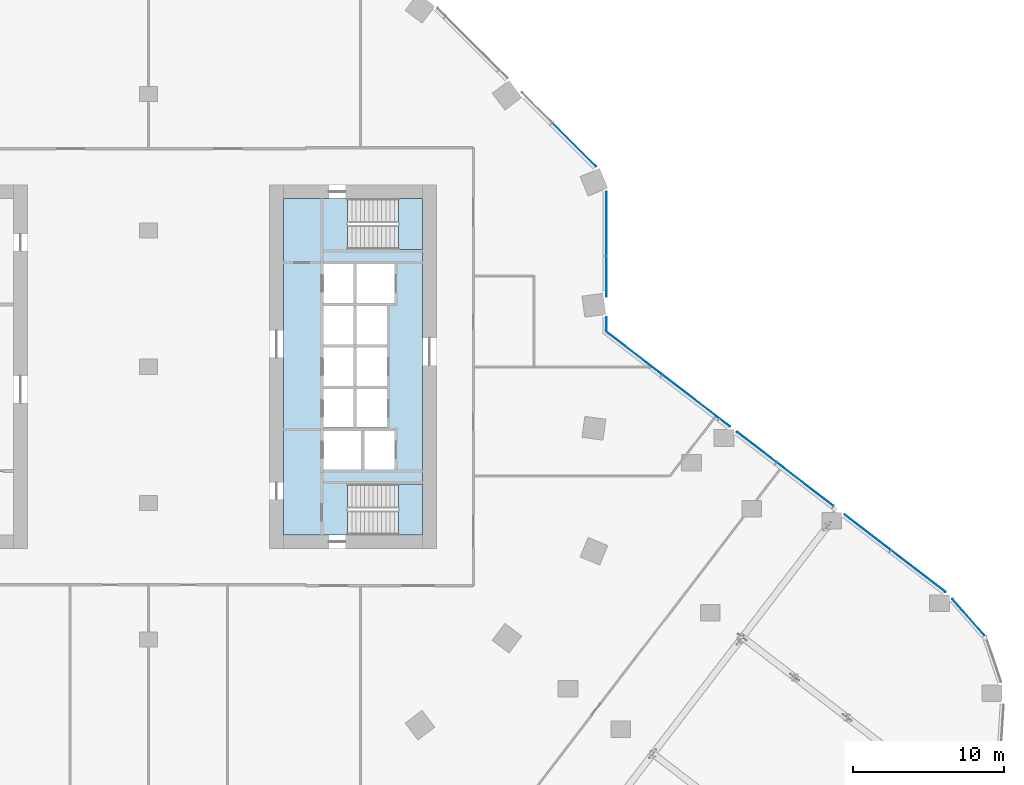
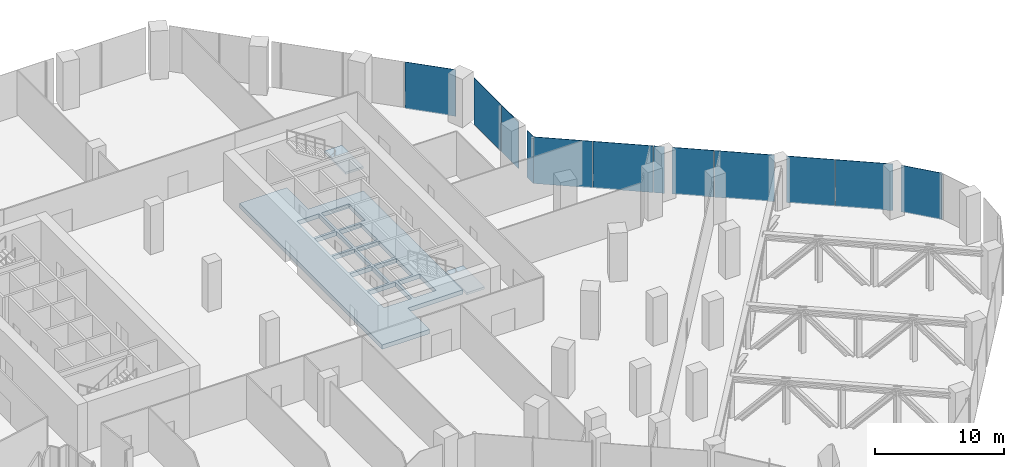
# One storey, part 20 of 30: 12 plates, 3 slabs, 6 elements without a shape of their own.
"""IFC4 building model written with IfcOpenShell, lengths in metres."""

from ifc_helpers import new_model, si_unit, direction, frame, origin, origin_2d, place, context, subcontext, project, spatial, polyline, rectangle, outline, extrude, material, layer, layer_set, type_object, element, aggregate, save


model = new_model("IFC4")

# Units and contexts
model_context = context("Model", 3, precision=1e-05, world=origin(), true_north=direction((0.0, 1.0)))
body_context = subcontext(model_context, "Body", "Model", "MODEL_VIEW")
ifc_project = project(units=[si_unit("LENGTHUNIT", "METRE"), si_unit("AREAUNIT", "SQUARE_METRE"), si_unit("VOLUMEUNIT", "CUBIC_METRE"), si_unit("PLANEANGLEUNIT", "RADIAN"), si_unit("MASSUNIT", "GRAM", prefix="KILO")], contexts=[model_context])

# Site, building, storey
site_placement = place(None, origin())
site = spatial("IfcSite", under=ifc_project, at=site_placement, CompositionType="ELEMENT")
building_placement = place(site_placement, origin())
building = spatial("IfcBuilding", under=site, at=building_placement, Name="Orlundy Tower", CompositionType="ELEMENT")
storey_placement = place(building_placement, frame((0.0, 0.0, 20.5)))
storey = spatial("IfcBuildingStorey", under=building, at=storey_placement, Name="L03", CompositionType="ELEMENT", Elevation=20.5)

# Curtain wall, plate
ifc_material_1 = material(Name="Aluminium bronze anodised", Category="aluminium")
curtain_wall_type = type_object("IfcCurtainWallType", Name="CW2 wall", PredefinedType="NOTDEFINED", material=ifc_material_1)
curtain_wall_1_placement = place(storey_placement, origin())
curtain_wall_1 = element("IfcCurtainWall", 1, at=curtain_wall_1_placement, inside=storey, type_object=curtain_wall_type, Name="CW2 run 016", PredefinedType="NOTDEFINED")
ifc_material_2 = material(Name="Tinted glass", Category="glass")
ifc_layer_1 = layer(ifc_material_2, 0.0380859375)
ifc_layer_set_1 = layer_set([ifc_layer_1], Name="CW2 glass panel 38")
plate_type_1 = type_object("IfcPlateType", Name="CW2 glass panel 38", PredefinedType="CURTAIN_PANEL", material=ifc_layer_set_1)
plate_1_placement = place(storey_placement, frame((28.10400390625, 14.648681640625, -0.25), z_axis=(0.0, 0.0, 1.0), x_axis=(0.707106781187, -0.707106781187, 0.0)))
plate_1 = element("IfcPlate", 2, at=plate_1_placement, type_object=plate_type_1, Name="CW2 panel", PredefinedType="CURTAIN_PANEL", context=body_context, shape_type="SweptSolid", body=[
    extrude(rectangle(XDim=4.066650390625, YDim=0.0380859375, at=origin_2d()), origin(), (0.0, 0.0, 1.0), 4.429931640625),
])
aggregate(curtain_wall_1, [plate_1])

# Curtain wall, plates
curtain_wall_2_placement = place(storey_placement, origin())
curtain_wall_2 = element("IfcCurtainWall", 3, at=curtain_wall_2_placement, inside=storey, type_object=curtain_wall_type, Name="CW2 run 017", PredefinedType="NOTDEFINED")
plate_2_placement = place(storey_placement, frame((30.23095703125, 9.4404296875, -0.25), z_axis=(0.0, 0.0, 1.0), x_axis=(0.0, -1.0, 0.0)))
plate_2 = element("IfcPlate", 4, at=plate_2_placement, type_object=plate_type_1, Name="CW2 panel", PredefinedType="CURTAIN_PANEL", context=body_context, shape_type="SweptSolid", body=[
    extrude(rectangle(XDim=4.215087890625, YDim=0.0380859375, at=origin_2d()), origin(), (0.0, 0.0, 1.0), 4.429931640625),
])
plate_3_placement = place(storey_placement, frame((30.23095703125, 5.951904296875, -0.25), z_axis=(0.0, 0.0, 1.0), x_axis=(0.0, -1.0, 0.0)))
plate_3 = element("IfcPlate", 5, at=plate_3_placement, type_object=plate_type_1, Name="CW2 panel", PredefinedType="CURTAIN_PANEL", context=body_context, shape_type="SweptSolid", body=[
    extrude(rectangle(XDim=2.662353515625, YDim=0.0380859375, at=origin_2d()), origin(), (0.0, 0.0, 1.0), 4.429931640625),
])
plate_4_placement = place(storey_placement, frame((30.23095703125, 2.78466796875, -0.25), z_axis=(0.0, 0.0, 1.0), x_axis=(0.0, -1.0, 0.0)))
plate_4 = element("IfcPlate", 6, at=plate_4_placement, type_object=plate_type_1, Name="CW2 panel", PredefinedType="CURTAIN_PANEL", context=body_context, shape_type="SweptSolid", body=[
    extrude(rectangle(XDim=0.961181640625, YDim=0.0380859375, at=origin_2d()), origin(), (0.0, 0.0, 1.0), 4.429931640625),
])
aggregate(curtain_wall_2, [plate_2, plate_3, plate_4])

curtain_wall_3_placement = place(storey_placement, origin())
curtain_wall_3 = element("IfcCurtainWall", 7, at=curtain_wall_3_placement, inside=storey, type_object=curtain_wall_type, Name="CW2 run 018", PredefinedType="NOTDEFINED")
plate_5_placement = place(storey_placement, frame((32.062255859375, 0.898681640625, -0.25), z_axis=(0.0, 0.0, 1.0), x_axis=(0.793340030598, -0.608778774146, 0.0)))
plate_5 = element("IfcPlate", 8, at=plate_5_placement, type_object=plate_type_1, Name="CW2 panel", PredefinedType="CURTAIN_PANEL", context=body_context, shape_type="SweptSolid", body=[
    extrude(rectangle(XDim=4.616455078125, YDim=0.0380859375, at=origin_2d()), origin(), (0.0, 0.0, 1.0), 4.429931640625),
])
plate_6_placement = place(storey_placement, frame((35.799560546875, -1.96923828125, -0.25), z_axis=(0.0, 0.0, 1.0), x_axis=(0.793340030598, -0.608778774146, 0.0)))
plate_6 = element("IfcPlate", 9, at=plate_6_placement, type_object=plate_type_1, Name="CW2 panel", PredefinedType="CURTAIN_PANEL", context=body_context, shape_type="SweptSolid", body=[
    extrude(rectangle(XDim=4.705322265625, YDim=0.0380859375, at=origin_2d()), origin(), (0.0, 0.0, 1.0), 4.429931640625),
])
plate_7_placement = place(storey_placement, frame((38.0419921875, -3.68994140625, -0.25), z_axis=(0.0, 0.0, 1.0), x_axis=(0.793340030598, -0.608778774146, 0.0)))
plate_7 = element("IfcPlate", 10, at=plate_7_placement, type_object=plate_type_1, Name="CW2 panel", PredefinedType="CURTAIN_PANEL", context=body_context, shape_type="SweptSolid", body=[
    extrude(rectangle(XDim=0.84765625, YDim=0.0380859375, at=origin_2d()), origin(), (0.0, 0.0, 1.0), 4.429931640625),
])
plate_8_placement = place(storey_placement, frame((40.139892578125, -5.2998046875, -0.25), z_axis=(0.0, 0.0, 1.0), x_axis=(0.793340030598, -0.608778774146, 0.0)))
plate_8 = element("IfcPlate", 11, at=plate_8_placement, type_object=plate_type_1, Name="CW2 panel", PredefinedType="CURTAIN_PANEL", context=body_context, shape_type="SweptSolid", body=[
    extrude(rectangle(XDim=3.2744140625, YDim=0.0380859375, at=origin_2d()), origin(), (0.0, 0.0, 1.0), 4.429931640625),
])
plate_9_placement = place(storey_placement, frame((50.814453125, -13.490966796875, -0.25), z_axis=(0.0, 0.0, 1.0), x_axis=(0.793340030598, -0.608778774146, 0.0)))
plate_9 = element("IfcPlate", 12, at=plate_9_placement, type_object=plate_type_1, Name="CW2 panel", PredefinedType="CURTAIN_PANEL", context=body_context, shape_type="SweptSolid", body=[
    extrude(rectangle(XDim=4.513916015625, YDim=0.0380859375, at=origin_2d()), origin(), (0.0, 0.0, 1.0), 4.429931640625),
])

# Curtain wall, plate
curtain_wall_4_placement = place(storey_placement, origin())
curtain_wall_4 = element("IfcCurtainWall", 13, at=curtain_wall_4_placement, inside=storey, type_object=curtain_wall_type, Name="CW2 run 019", PredefinedType="NOTDEFINED")
plate_10_placement = place(storey_placement, frame((54.176025390625, -16.585693359375, -0.25), z_axis=(0.0, 0.0, 1.0), x_axis=(0.65932547196, -0.751857647447, 0.0)))
plate_10 = element("IfcPlate", 14, at=plate_10_placement, type_object=plate_type_1, Name="CW2 panel", PredefinedType="CURTAIN_PANEL", context=body_context, shape_type="SweptSolid", body=[
    extrude(rectangle(XDim=3.36083984375, YDim=0.0380859375, at=origin_2d()), origin(), (0.0, 0.0, 1.0), 4.429931640625),
])
aggregate(curtain_wall_4, [plate_10])

# Plate
ifc_material_3 = material(Name="Bronze aluminium spandrel", Category="aluminium")
ifc_layer_2 = layer(ifc_material_3, 0.0380859375)
ifc_layer_set_2 = layer_set([ifc_layer_2], Name="CW2 spandrel panel 38")
plate_type_2 = type_object("IfcPlateType", Name="CW2 spandrel panel 38", PredefinedType="CURTAIN_PANEL", material=ifc_layer_set_2)
plate_11_placement = place(storey_placement, frame((43.344970703125, -7.75927734375, -0.25), z_axis=(0.0, 0.0, 1.0), x_axis=(0.793340030598, -0.608778774146, 0.0)))
plate_11 = element("IfcPlate", 15, at=plate_11_placement, type_object=plate_type_2, Name="CW2 panel", PredefinedType="CURTAIN_PANEL", context=body_context, shape_type="SweptSolid", body=[
    extrude(rectangle(XDim=4.705322265625, YDim=0.0380859375, at=origin_2d()), origin(), (0.0, 0.0, 1.0), 4.429931640625),
])

plate_12_placement = place(storey_placement, frame((47.468994140625, -10.923828125, -0.25), z_axis=(0.0, 0.0, 1.0), x_axis=(0.793340030598, -0.608778774146, 0.0)))
plate_12 = element("IfcPlate", 16, at=plate_12_placement, type_object=plate_type_2, Name="CW2 panel", PredefinedType="CURTAIN_PANEL", context=body_context, shape_type="SweptSolid", body=[
    extrude(rectangle(XDim=3.8193359375, YDim=0.0380859375, at=origin_2d()), origin(), (0.0, 0.0, 1.0), 4.429931640625),
])

aggregate(curtain_wall_3, [plate_5, plate_6, plate_7, plate_8, plate_11, plate_12, plate_9])

# Slab
ifc_material_4 = material(Name="Concrete C50/60", Category="concrete")
ifc_layer_3 = layer(ifc_material_4, 0.409912109375)
ifc_layer_set_3 = layer_set([ifc_layer_3], Name="Core Floor Slab 410")
slab_type_1 = type_object("IfcSlabType", Name="Core Floor Slab 410", PredefinedType="FLOOR", material=ifc_layer_set_3)
slab_1_placement = place(storey_placement, frame((0.0, 0.0, -0.409912109375)))
element("IfcSlab", 17, at=slab_1_placement, inside=storey, type_object=slab_type_1, Name="Core floor E04", PredefinedType="FLOOR", context=body_context, shape_type="SweptSolid", body=[
    extrude(outline(polyline([(8.89990234375, 11.10009765625), (13.14501953125, 11.10009765625), (13.14501953125, 7.75), (18.10009765625, 7.75), (18.10009765625, -7.75), (13.14501953125, -7.75), (13.14501953125, -11.10009765625), (8.89990234375, -11.10009765625), (8.89990234375, 11.10009765625)]), holes=[polyline([(11.5400390625, 6.77490234375), (11.5400390625, 4.22509765625), (13.5400390625, 4.22509765625), (13.5400390625, 6.77490234375), (11.5400390625, 6.77490234375)]), polyline([(16.239990234375, 6.77490234375), (13.739990234375, 6.77490234375), (13.739990234375, 4.22509765625), (16.239990234375, 4.22509765625), (16.239990234375, 6.77490234375)]), polyline([(13.5400390625, 1.47509765625), (13.5400390625, 4.02490234375), (11.5400390625, 4.02490234375), (11.5400390625, 1.47509765625), (13.5400390625, 1.47509765625)]), polyline([(13.739990234375, 1.47509765625), (15.739990234375, 1.47509765625), (15.739990234375, 4.02490234375), (13.739990234375, 4.02490234375), (13.739990234375, 1.47509765625)]), polyline([(11.5400390625, 1.27490234375), (11.5400390625, -1.27490234375), (13.5400390625, -1.27490234375), (13.5400390625, 1.27490234375), (11.5400390625, 1.27490234375)]), polyline([(15.739990234375, 1.27490234375), (13.739990234375, 1.27490234375), (13.739990234375, -1.27490234375), (15.739990234375, -1.27490234375), (15.739990234375, 1.27490234375)]), polyline([(13.5400390625, -4.02490234375), (13.5400390625, -1.47509765625), (11.5400390625, -1.47509765625), (11.5400390625, -4.02490234375), (13.5400390625, -4.02490234375)]), polyline([(13.739990234375, -4.02490234375), (15.739990234375, -4.02490234375), (15.739990234375, -1.47509765625), (13.739990234375, -1.47509765625), (13.739990234375, -4.02490234375)]), polyline([(11.5400390625, -4.22509765625), (11.5400390625, -6.77490234375), (14.0400390625, -6.77490234375), (14.0400390625, -4.22509765625), (11.5400390625, -4.22509765625)]), polyline([(16.239990234375, -4.22509765625), (14.239990234375, -4.22509765625), (14.239990234375, -6.77490234375), (16.239990234375, -6.77490234375), (16.239990234375, -4.22509765625)])]), origin(), (0.0, 0.0, 1.0), 0.409912109375),
])

# Stair, slab
ifc_material_5 = material(Name="Concrete C50/60", Category="concrete")
stair_type = type_object("IfcStairType", Name="Exit Stair 26 risers", PredefinedType="HALF_TURN_STAIR", material=ifc_material_5)
stair_1_placement = place(storey_placement, origin())
stair_1 = element("IfcStair", 18, at=stair_1_placement, inside=storey, type_object=stair_type, Name="L03 Exit Stair ST-E1", PredefinedType="HALF_TURN_STAIR")
ifc_material_6 = material(Name="Concrete C50/60", Category="concrete")
ifc_layer_4 = layer(ifc_material_6, 0.199951171875)
ifc_layer_set_4 = layer_set([ifc_layer_4], Name="Exit Stair Landing")
slab_type_2 = type_object("IfcSlabType", Name="Exit Stair Landing", PredefinedType="LANDING", material=ifc_layer_set_4)
slab_2_placement = place(storey_placement, frame((0.0, 0.0, 2.10009765625)))
slab_2 = element("IfcSlab", 19, at=slab_2_placement, type_object=slab_type_2, Name="ST-E1 landing 1", PredefinedType="LANDING", context=body_context, shape_type="SweptSolid", body=[
    extrude(outline(polyline([(16.5, -11.10009765625), (18.10009765625, -11.10009765625), (18.10009765625, -7.75), (16.5, -7.75), (16.5, -11.10009765625)])), origin(), (0.0, 0.0, 1.0), 0.199951171875),
])
aggregate(stair_1, [slab_2])

stair_2_placement = place(storey_placement, origin())
stair_2 = element("IfcStair", 20, at=stair_2_placement, inside=storey, type_object=stair_type, Name="L03 Exit Stair ST-E2", PredefinedType="HALF_TURN_STAIR")
slab_3_placement = place(storey_placement, frame((0.0, 0.0, 2.10009765625)))
slab_3 = element("IfcSlab", 21, at=slab_3_placement, type_object=slab_type_2, Name="ST-E2 landing 1", PredefinedType="LANDING", context=body_context, shape_type="SweptSolid", body=[
    extrude(outline(polyline([(16.5, 7.75), (18.10009765625, 7.75), (18.10009765625, 11.10009765625), (16.5, 11.10009765625), (16.5, 7.75)])), origin(), (0.0, 0.0, 1.0), 0.199951171875),
])
aggregate(stair_2, [slab_3])

save(model, "model.ifc")
